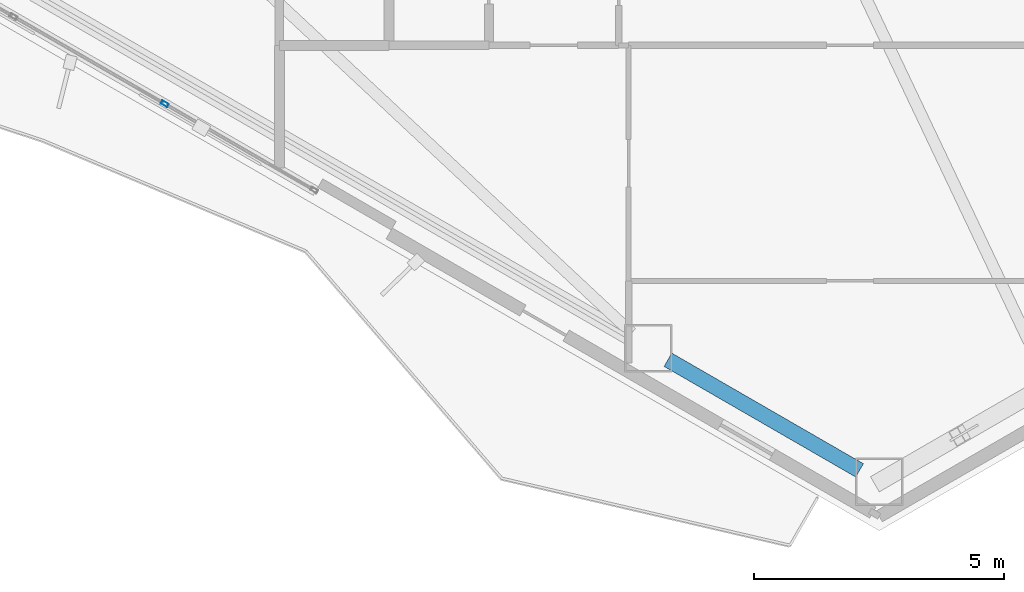
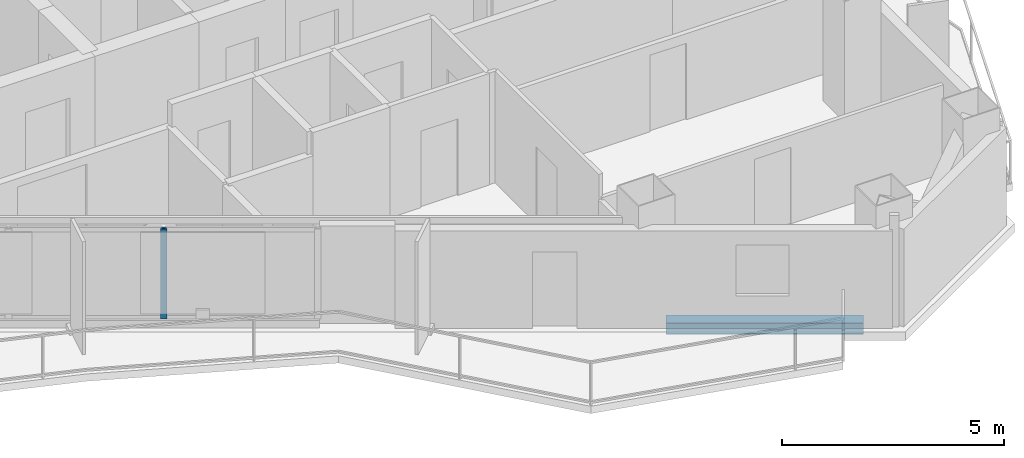
# One storey, part 3 of 19: 1 beam, 1 member, 1 element without a shape of its own.
"""IFC4 building model written with IfcOpenShell, lengths in metres."""

from ifc_helpers import new_model, si_unit, direction, frame, origin, origin_2d, place, context, subcontext, project, spatial, hollow_rectangle, i_section, extrude, material, layer, layer_set, material_profile, profile_set, type_object, element, aggregate, save


model = new_model("IFC4")

# Units and contexts
model_context = context("Model", 3, precision=1e-05, world=origin(), true_north=direction((0.0, 1.0)))
body_context = subcontext(model_context, "Body", "Model", "MODEL_VIEW")
ifc_project = project(units=[si_unit("LENGTHUNIT", "METRE"), si_unit("AREAUNIT", "SQUARE_METRE"), si_unit("VOLUMEUNIT", "CUBIC_METRE"), si_unit("PLANEANGLEUNIT", "RADIAN"), si_unit("MASSUNIT", "GRAM", prefix="KILO")], contexts=[model_context])

# Site, building, storey
site_placement = place(None, origin())
site = spatial("IfcSite", under=ifc_project, at=site_placement, CompositionType="ELEMENT")
building_placement = place(site_placement, origin())
building = spatial("IfcBuilding", under=site, at=building_placement, Name="Mersakhor Tower and Convention Hall", CompositionType="ELEMENT")
storey_placement = place(building_placement, frame((0.0, 0.0, 124.5)))
storey = spatial("IfcBuildingStorey", under=building, at=storey_placement, Name="L34", CompositionType="ELEMENT", Elevation=124.5)

# Beam
ifc_material_1 = material(Name="Steel S355", Category="steel")
ifc_material_profile_1 = material_profile(ifc_material_1, i_section(OverallWidth=0.30908203125, OverallDepth=0.320556640625, WebThickness=0.013916015625, FlangeThickness=0.021728515625, at=origin_2d()), Name="UC 305x305x137")
ifc_profile_set_1 = profile_set([ifc_material_profile_1], Name="Steel S355")
beam_type = type_object("IfcBeamType", Name="BM-SPD-UC305", PredefinedType="SPANDREL", material=ifc_profile_set_1)
beam_placement = place(storey_placement, frame((37.826416015625, 7.082763671875, -0.400146484375), z_axis=(-0.866038875684, 0.49997666526, 0.0), x_axis=(-0.49997666526, -0.866038875684, 0.0)))
element("IfcBeam", 1, at=beam_placement, inside=storey, type_object=beam_type, Name="L34 Perimeter Spandrel Beam SPB-09", PredefinedType="SPANDREL", context=body_context, shape_type="SweptSolid", body=[
    extrude(i_section(OverallWidth=0.30908203125, OverallDepth=0.320556640625, WebThickness=0.013916015625, FlangeThickness=0.021728515625, at=origin_2d()), origin(), (0.0, 0.0, 1.0), 4.433837890625),
])

# Curtain wall, member
ifc_material_2 = material(Name="Dark solar low-E aluminium curtain wall", Category="aluminium")
ifc_layer = layer(ifc_material_2, 0.169921875)
ifc_layer_set = layer_set([ifc_layer], Name="Dark solar low-E aluminium curtain wall")
curtain_wall_type = type_object("IfcCurtainWallType", Name="CW-SYS-02", PredefinedType="USERDEFINED", material=ifc_layer_set)
curtain_wall_placement = place(storey_placement, origin())
curtain_wall = element("IfcCurtainWall", 2, at=curtain_wall_placement, inside=storey, type_object=curtain_wall_type, Name="L34 Dark-Glass Curtain Wall F3-B2", ObjectType="CURTAIN WALL", PredefinedType="USERDEFINED")
ifc_material_3 = material(Name="Anodised aluminium EN AW-6063 T6", Category="aluminium")
ifc_material_profile_2 = material_profile(ifc_material_3, hollow_rectangle(XDim=0.074951171875, YDim=0.14990234375, WallThickness=0.00634765625, at=origin_2d()), Name="RHS 150x75x6.3")
ifc_profile_set_2 = profile_set([ifc_material_profile_2], Name="Anodised aluminium EN AW-6063 T6")
member_type = type_object("IfcMemberType", Name="CWM-150x75", PredefinedType="MULLION", material=ifc_profile_set_2)
member_placement = place(storey_placement, frame((23.904052734375, 14.427978515625, 0.199951171875), z_axis=(0.0, 0.0, 1.0), x_axis=(-0.499990468363, -0.866030906807, 0.0)))
member = element("IfcMember", 3, at=member_placement, type_object=member_type, Name="CW-02 mullion 2", PredefinedType="MULLION", context=body_context, shape_type="SweptSolid", body=[
    extrude(hollow_rectangle(XDim=0.074951171875, YDim=0.14990234375, WallThickness=0.00634765625, at=origin_2d()), origin(), (0.0, 0.0, 1.0), 2.47998046875),
])
aggregate(curtain_wall, [member])

save(model, "model.ifc")
